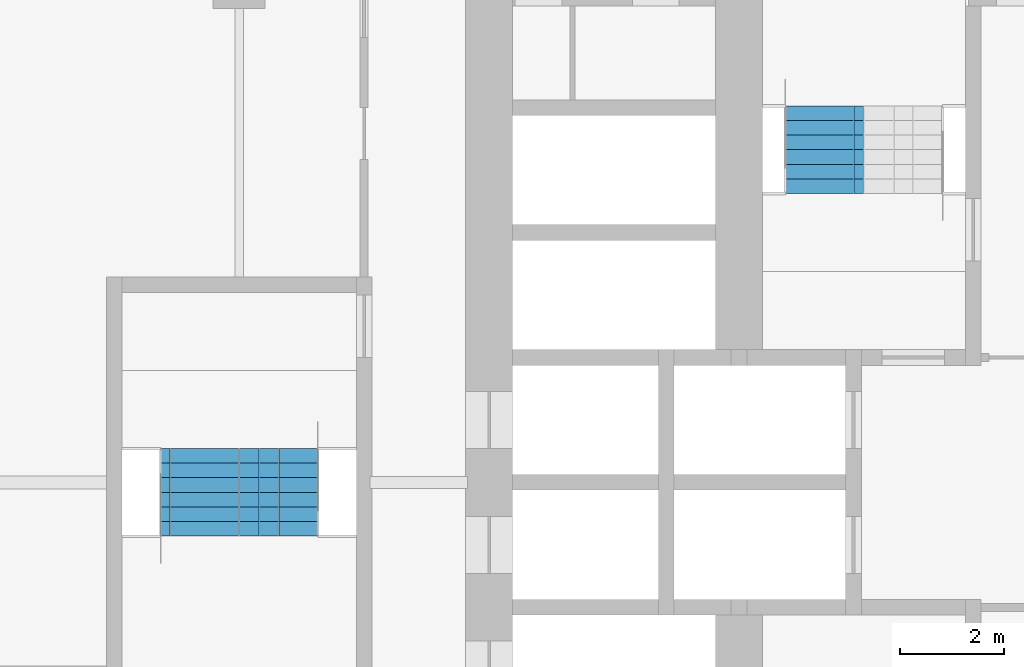
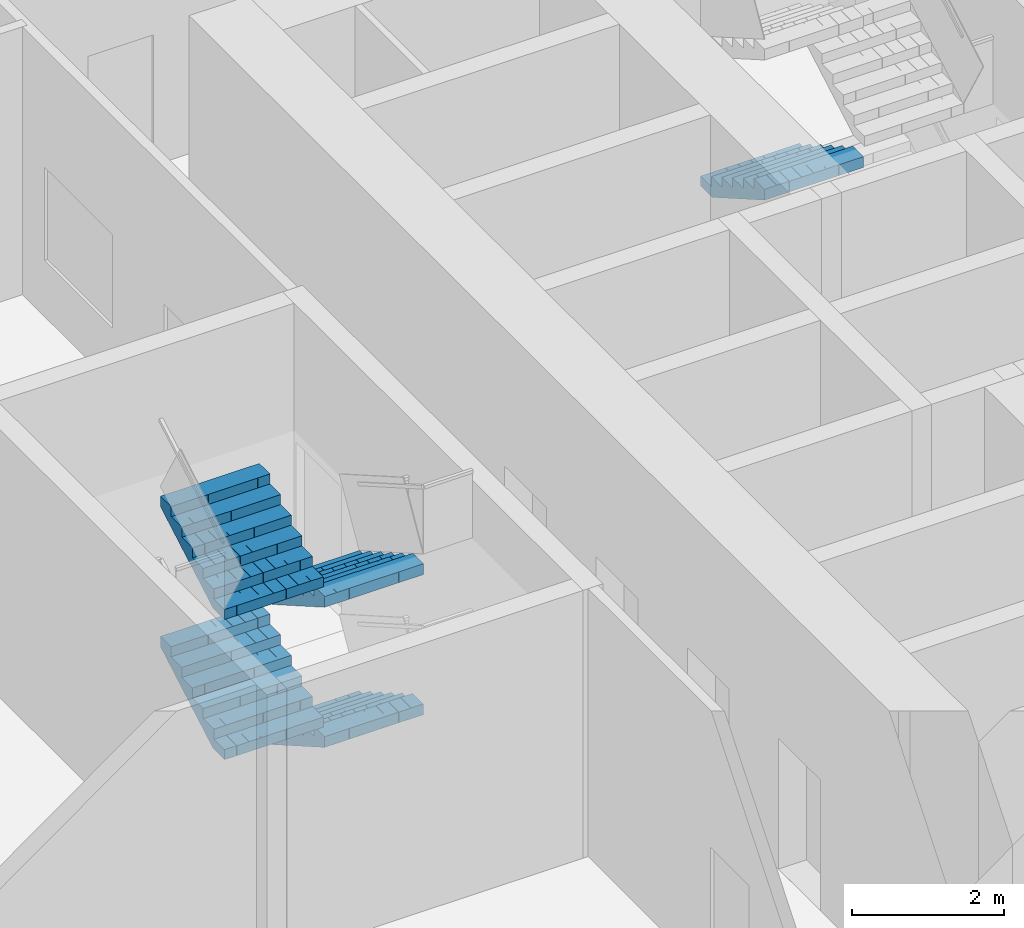
# One storey, part 22 of 27: 5 stair flights, 2 elements without a shape of their own.
"""IFC4 building model written with IfcOpenShell, lengths in metres."""

from ifc_helpers import new_model, si_unit, direction, frame, origin, place, context, subcontext, project, spatial, polyline, outline, extrude, material, type_object, element, aggregate, save


model = new_model("IFC4")

# Units and contexts
model_context = context("Model", 3, precision=1e-05, world=origin(), true_north=direction((0.0, 1.0)))
body_context = subcontext(model_context, "Body", "Model", "MODEL_VIEW")
ifc_project = project(units=[si_unit("LENGTHUNIT", "METRE"), si_unit("AREAUNIT", "SQUARE_METRE"), si_unit("VOLUMEUNIT", "CUBIC_METRE"), si_unit("PLANEANGLEUNIT", "RADIAN"), si_unit("MASSUNIT", "GRAM", prefix="KILO")], contexts=[model_context])

# Site, building, storey
site_placement = place(None, origin())
site = spatial("IfcSite", under=ifc_project, at=site_placement, CompositionType="ELEMENT")
building_placement = place(site_placement, origin())
building = spatial("IfcBuilding", under=site, at=building_placement, Name="Kolab Exchange Tower", CompositionType="ELEMENT")
storey_placement = place(building_placement, frame((0.0, 0.0, 109.39990234375)))
storey = spatial("IfcBuildingStorey", under=building, at=storey_placement, Name="L21", CompositionType="ELEMENT", Elevation=109.39990234375)

# Stair, stair flight
ifc_material = material(Name="Concrete C50/60", Category="concrete")
stair_type_1 = type_object("IfcStairType", Name="STAIR ST1 RISER 160.7", PredefinedType="DOUBLE_RETURN_STAIR", material=ifc_material)
stair_1_placement = place(storey_placement, origin())
stair_1 = element("IfcStair", 1, at=stair_1_placement, inside=storey, type_object=stair_type_1, Name="Stair 1", PredefinedType="DOUBLE_RETURN_STAIR")
stair_flight_type = type_object("IfcStairFlightType", Name="STAIR FLIGHT 1500 RISER 160.7", PredefinedType="STRAIGHT", material=ifc_material)
stair_flight_1_placement = place(storey_placement, frame((-7.9599609375, 7.22998046875, 1.125), z_axis=(0.0, 0.0, 1.0), x_axis=(0.0, -1.0, 0.0)))
stair_flight_1 = element("IfcStairFlight", 2, at=stair_flight_1_placement, type_object=stair_flight_type, Name="ST1 flight 2", NumberOfRisers=7, NumberOfTreads=6, PredefinedType="STRAIGHT", RiserHeight=0.160714286, TreadLength=0.28, context=body_context, shape_type="SweptSolid", body=[
    extrude(outline(polyline([(0.0, 0.0), (0.0, 0.16064453125), (0.280029296875, 0.16064453125), (0.280029296875, 0.321533203125), (0.56005859375, 0.321533203125), (0.56005859375, 0.482177734375), (0.840087890625, 0.482177734375), (0.840087890625, 0.642822265625), (1.1201171875, 0.642822265625), (1.1201171875, 0.803466796875), (1.39990234375, 0.803466796875), (1.39990234375, 0.96435546875), (1.679931640625, 0.96435546875), (1.679931640625, 1.125), (1.679931640625, 0.79150390625), (0.301025390625, 0.0), (0.0, 0.0)])), frame((0.0, 0.75, 0.0), z_axis=(0.0, -1.0, 0.0), x_axis=(1.0, 0.0, 0.0)), (0.0, 0.0, 1.0), 0.185791015625),
    extrude(outline(polyline([(0.0, 0.0), (0.0, 0.16064453125), (0.280029296875, 0.16064453125), (0.280029296875, 0.321533203125), (0.56005859375, 0.321533203125), (0.56005859375, 0.482177734375), (0.840087890625, 0.482177734375), (0.840087890625, 0.642822265625), (1.1201171875, 0.642822265625), (1.1201171875, 0.803466796875), (1.39990234375, 0.803466796875), (1.39990234375, 0.96435546875), (1.679931640625, 0.96435546875), (1.679931640625, 1.125), (1.679931640625, 0.79150390625), (0.301025390625, 0.0), (0.0, 0.0)])), frame((0.0, 0.562255859375, 0.0), z_axis=(0.0, -1.0, 0.0), x_axis=(1.0, 0.0, 0.0)), (0.0, 0.0, 1.0), 0.185791015625),
    extrude(outline(polyline([(0.0, 0.0), (0.0, 0.16064453125), (0.280029296875, 0.16064453125), (0.280029296875, 0.321533203125), (0.56005859375, 0.321533203125), (0.56005859375, 0.482177734375), (0.840087890625, 0.482177734375), (0.840087890625, 0.642822265625), (1.1201171875, 0.642822265625), (1.1201171875, 0.803466796875), (1.39990234375, 0.803466796875), (1.39990234375, 0.96435546875), (1.679931640625, 0.96435546875), (1.679931640625, 1.125), (1.679931640625, 0.79150390625), (0.301025390625, 0.0), (0.0, 0.0)])), frame((0.0, 0.37451171875, 0.0), z_axis=(0.0, -1.0, 0.0), x_axis=(1.0, 0.0, 0.0)), (0.0, 0.0, 1.0), 0.185791015625),
    extrude(outline(polyline([(0.0, 0.0), (0.0, 0.16064453125), (0.280029296875, 0.16064453125), (0.280029296875, 0.321533203125), (0.56005859375, 0.321533203125), (0.56005859375, 0.482177734375), (0.840087890625, 0.482177734375), (0.840087890625, 0.642822265625), (1.1201171875, 0.642822265625), (1.1201171875, 0.803466796875), (1.39990234375, 0.803466796875), (1.39990234375, 0.96435546875), (1.679931640625, 0.96435546875), (1.679931640625, 1.125), (1.679931640625, 0.79150390625), (0.301025390625, 0.0), (0.0, 0.0)])), frame((0.0, 0.186767578125, 0.0), z_axis=(0.0, -1.0, 0.0), x_axis=(1.0, 0.0, 0.0)), (0.0, 0.0, 1.0), 0.185791015625),
    extrude(outline(polyline([(0.0, 0.0), (0.0, 0.16064453125), (0.280029296875, 0.16064453125), (0.280029296875, 0.321533203125), (0.56005859375, 0.321533203125), (0.56005859375, 0.482177734375), (0.840087890625, 0.482177734375), (0.840087890625, 0.642822265625), (1.1201171875, 0.642822265625), (1.1201171875, 0.803466796875), (1.39990234375, 0.803466796875), (1.39990234375, 0.96435546875), (1.679931640625, 0.96435546875), (1.679931640625, 1.125), (1.679931640625, 0.79150390625), (0.301025390625, 0.0), (0.0, 0.0)])), frame((0.0, -0.0009765625, 0.0), z_axis=(0.0, -1.0, 0.0), x_axis=(1.0, 0.0, 0.0)), (0.0, 0.0, 1.0), 0.185791015625),
    extrude(outline(polyline([(0.0, 0.0), (0.0, 0.16064453125), (0.280029296875, 0.16064453125), (0.280029296875, 0.321533203125), (0.56005859375, 0.321533203125), (0.56005859375, 0.482177734375), (0.840087890625, 0.482177734375), (0.840087890625, 0.642822265625), (1.1201171875, 0.642822265625), (1.1201171875, 0.803466796875), (1.39990234375, 0.803466796875), (1.39990234375, 0.96435546875), (1.679931640625, 0.96435546875), (1.679931640625, 1.125), (1.679931640625, 0.79150390625), (0.301025390625, 0.0), (0.0, 0.0)])), frame((0.0, -0.188720703125, 0.0), z_axis=(0.0, -1.0, 0.0), x_axis=(1.0, 0.0, 0.0)), (0.0, 0.0, 1.0), 0.185791015625),
    extrude(outline(polyline([(0.0, 0.0), (0.0, 0.16064453125), (0.280029296875, 0.16064453125), (0.280029296875, 0.321533203125), (0.56005859375, 0.321533203125), (0.56005859375, 0.482177734375), (0.840087890625, 0.482177734375), (0.840087890625, 0.642822265625), (1.1201171875, 0.642822265625), (1.1201171875, 0.803466796875), (1.39990234375, 0.803466796875), (1.39990234375, 0.96435546875), (1.679931640625, 0.96435546875), (1.679931640625, 1.125), (1.679931640625, 0.79150390625), (0.301025390625, 0.0), (0.0, 0.0)])), frame((0.0, -0.37646484375, 0.0), z_axis=(0.0, -1.0, 0.0), x_axis=(1.0, 0.0, 0.0)), (0.0, 0.0, 1.0), 0.185791015625),
    extrude(outline(polyline([(0.0, 0.0), (0.0, 0.16064453125), (0.280029296875, 0.16064453125), (0.280029296875, 0.321533203125), (0.56005859375, 0.321533203125), (0.56005859375, 0.482177734375), (0.840087890625, 0.482177734375), (0.840087890625, 0.642822265625), (1.1201171875, 0.642822265625), (1.1201171875, 0.803466796875), (1.39990234375, 0.803466796875), (1.39990234375, 0.96435546875), (1.679931640625, 0.96435546875), (1.679931640625, 1.125), (1.679931640625, 0.79150390625), (0.301025390625, 0.0), (0.0, 0.0)])), frame((0.0, -0.564208984375, 0.0), z_axis=(0.0, -1.0, 0.0), x_axis=(1.0, 0.0, 0.0)), (0.0, 0.0, 1.0), 0.185791015625),
])
aggregate(stair_1, [stair_flight_1])

# Stair, stair flights
stair_type_2 = type_object("IfcStairType", Name="STAIR ST5 RISER 160.7", PredefinedType="DOUBLE_RETURN_STAIR", material=ifc_material)
stair_2_placement = place(storey_placement, origin())
stair_2 = element("IfcStair", 3, at=stair_2_placement, inside=storey, type_object=stair_type_2, Name="Stair 5", PredefinedType="DOUBLE_RETURN_STAIR")
stair_flight_2_placement = place(storey_placement, frame((-18.43994140625, 0.64990234375, 0.0), z_axis=(0.0, 0.0, 1.0), x_axis=(0.0, -1.0, 0.0)))
stair_flight_2 = element("IfcStairFlight", 4, at=stair_flight_2_placement, type_object=stair_flight_type, Name="ST5 flight 1", NumberOfRisers=7, NumberOfTreads=6, PredefinedType="STRAIGHT", RiserHeight=0.160714286, TreadLength=0.28, context=body_context, shape_type="SweptSolid", body=[
    extrude(outline(polyline([(0.0, 0.0), (0.0, 0.16064453125), (0.280029296875, 0.16064453125), (0.280029296875, 0.321533203125), (0.56005859375, 0.321533203125), (0.56005859375, 0.482177734375), (0.840087890625, 0.482177734375), (0.840087890625, 0.642822265625), (1.1201171875, 0.642822265625), (1.1201171875, 0.803466796875), (1.39990234375, 0.803466796875), (1.39990234375, 0.96435546875), (1.679931640625, 0.96435546875), (1.679931640625, 1.125), (1.679931640625, 0.79150390625), (0.301025390625, 0.0), (0.0, 0.0)])), frame((0.0, 0.75, 0.0), z_axis=(0.0, -1.0, 0.0), x_axis=(1.0, 0.0, 0.0)), (0.0, 0.0, 1.0), 0.185791015625),
    extrude(outline(polyline([(0.0, 0.0), (0.0, 0.16064453125), (0.280029296875, 0.16064453125), (0.280029296875, 0.321533203125), (0.56005859375, 0.321533203125), (0.56005859375, 0.482177734375), (0.840087890625, 0.482177734375), (0.840087890625, 0.642822265625), (1.1201171875, 0.642822265625), (1.1201171875, 0.803466796875), (1.39990234375, 0.803466796875), (1.39990234375, 0.96435546875), (1.679931640625, 0.96435546875), (1.679931640625, 1.125), (1.679931640625, 0.79150390625), (0.301025390625, 0.0), (0.0, 0.0)])), frame((0.0, 0.562255859375, 0.0), z_axis=(0.0, -1.0, 0.0), x_axis=(1.0, 0.0, 0.0)), (0.0, 0.0, 1.0), 0.185791015625),
    extrude(outline(polyline([(0.0, 0.0), (0.0, 0.16064453125), (0.280029296875, 0.16064453125), (0.280029296875, 0.321533203125), (0.56005859375, 0.321533203125), (0.56005859375, 0.482177734375), (0.840087890625, 0.482177734375), (0.840087890625, 0.642822265625), (1.1201171875, 0.642822265625), (1.1201171875, 0.803466796875), (1.39990234375, 0.803466796875), (1.39990234375, 0.96435546875), (1.679931640625, 0.96435546875), (1.679931640625, 1.125), (1.679931640625, 0.79150390625), (0.301025390625, 0.0), (0.0, 0.0)])), frame((0.0, 0.37451171875, 0.0), z_axis=(0.0, -1.0, 0.0), x_axis=(1.0, 0.0, 0.0)), (0.0, 0.0, 1.0), 0.185791015625),
    extrude(outline(polyline([(0.0, 0.0), (0.0, 0.16064453125), (0.280029296875, 0.16064453125), (0.280029296875, 0.321533203125), (0.56005859375, 0.321533203125), (0.56005859375, 0.482177734375), (0.840087890625, 0.482177734375), (0.840087890625, 0.642822265625), (1.1201171875, 0.642822265625), (1.1201171875, 0.803466796875), (1.39990234375, 0.803466796875), (1.39990234375, 0.96435546875), (1.679931640625, 0.96435546875), (1.679931640625, 1.125), (1.679931640625, 0.79150390625), (0.301025390625, 0.0), (0.0, 0.0)])), frame((0.0, 0.186767578125, 0.0), z_axis=(0.0, -1.0, 0.0), x_axis=(1.0, 0.0, 0.0)), (0.0, 0.0, 1.0), 0.185791015625),
    extrude(outline(polyline([(0.0, 0.0), (0.0, 0.16064453125), (0.280029296875, 0.16064453125), (0.280029296875, 0.321533203125), (0.56005859375, 0.321533203125), (0.56005859375, 0.482177734375), (0.840087890625, 0.482177734375), (0.840087890625, 0.642822265625), (1.1201171875, 0.642822265625), (1.1201171875, 0.803466796875), (1.39990234375, 0.803466796875), (1.39990234375, 0.96435546875), (1.679931640625, 0.96435546875), (1.679931640625, 1.125), (1.679931640625, 0.79150390625), (0.301025390625, 0.0), (0.0, 0.0)])), frame((0.0, -0.0009765625, 0.0), z_axis=(0.0, -1.0, 0.0), x_axis=(1.0, 0.0, 0.0)), (0.0, 0.0, 1.0), 0.185791015625),
    extrude(outline(polyline([(0.0, 0.0), (0.0, 0.16064453125), (0.280029296875, 0.16064453125), (0.280029296875, 0.321533203125), (0.56005859375, 0.321533203125), (0.56005859375, 0.482177734375), (0.840087890625, 0.482177734375), (0.840087890625, 0.642822265625), (1.1201171875, 0.642822265625), (1.1201171875, 0.803466796875), (1.39990234375, 0.803466796875), (1.39990234375, 0.96435546875), (1.679931640625, 0.96435546875), (1.679931640625, 1.125), (1.679931640625, 0.79150390625), (0.301025390625, 0.0), (0.0, 0.0)])), frame((0.0, -0.188720703125, 0.0), z_axis=(0.0, -1.0, 0.0), x_axis=(1.0, 0.0, 0.0)), (0.0, 0.0, 1.0), 0.185791015625),
    extrude(outline(polyline([(0.0, 0.0), (0.0, 0.16064453125), (0.280029296875, 0.16064453125), (0.280029296875, 0.321533203125), (0.56005859375, 0.321533203125), (0.56005859375, 0.482177734375), (0.840087890625, 0.482177734375), (0.840087890625, 0.642822265625), (1.1201171875, 0.642822265625), (1.1201171875, 0.803466796875), (1.39990234375, 0.803466796875), (1.39990234375, 0.96435546875), (1.679931640625, 0.96435546875), (1.679931640625, 1.125), (1.679931640625, 0.79150390625), (0.301025390625, 0.0), (0.0, 0.0)])), frame((0.0, -0.37646484375, 0.0), z_axis=(0.0, -1.0, 0.0), x_axis=(1.0, 0.0, 0.0)), (0.0, 0.0, 1.0), 0.185791015625),
    extrude(outline(polyline([(0.0, 0.0), (0.0, 0.16064453125), (0.280029296875, 0.16064453125), (0.280029296875, 0.321533203125), (0.56005859375, 0.321533203125), (0.56005859375, 0.482177734375), (0.840087890625, 0.482177734375), (0.840087890625, 0.642822265625), (1.1201171875, 0.642822265625), (1.1201171875, 0.803466796875), (1.39990234375, 0.803466796875), (1.39990234375, 0.96435546875), (1.679931640625, 0.96435546875), (1.679931640625, 1.125), (1.679931640625, 0.79150390625), (0.301025390625, 0.0), (0.0, 0.0)])), frame((0.0, -0.564208984375, 0.0), z_axis=(0.0, -1.0, 0.0), x_axis=(1.0, 0.0, 0.0)), (0.0, 0.0, 1.0), 0.185791015625),
])
stair_flight_3_placement = place(storey_placement, frame((-19.9599609375, -1.030029296875, 1.125), z_axis=(0.0, 0.0, 1.0), x_axis=(0.0, 1.0, 0.0)))
stair_flight_3 = element("IfcStairFlight", 5, at=stair_flight_3_placement, type_object=stair_flight_type, Name="ST5 flight 2", NumberOfRisers=7, NumberOfTreads=6, PredefinedType="STRAIGHT", RiserHeight=0.160714286, TreadLength=0.28, context=body_context, shape_type="SweptSolid", body=[
    extrude(outline(polyline([(0.0, 0.0), (0.0, 0.16064453125), (0.280029296875, 0.16064453125), (0.280029296875, 0.321533203125), (0.56005859375, 0.321533203125), (0.56005859375, 0.482177734375), (0.840087890625, 0.482177734375), (0.840087890625, 0.642822265625), (1.1201171875, 0.642822265625), (1.1201171875, 0.803466796875), (1.39990234375, 0.803466796875), (1.39990234375, 0.96435546875), (1.679931640625, 0.96435546875), (1.679931640625, 1.125), (1.679931640625, 0.79150390625), (0.301025390625, 0.0), (0.0, 0.0)])), frame((0.0, 0.75, 0.0), z_axis=(0.0, -1.0, 0.0), x_axis=(1.0, 0.0, 0.0)), (0.0, 0.0, 1.0), 0.185791015625),
    extrude(outline(polyline([(0.0, 0.0), (0.0, 0.16064453125), (0.280029296875, 0.16064453125), (0.280029296875, 0.321533203125), (0.56005859375, 0.321533203125), (0.56005859375, 0.482177734375), (0.840087890625, 0.482177734375), (0.840087890625, 0.642822265625), (1.1201171875, 0.642822265625), (1.1201171875, 0.803466796875), (1.39990234375, 0.803466796875), (1.39990234375, 0.96435546875), (1.679931640625, 0.96435546875), (1.679931640625, 1.125), (1.679931640625, 0.79150390625), (0.301025390625, 0.0), (0.0, 0.0)])), frame((0.0, 0.562255859375, 0.0), z_axis=(0.0, -1.0, 0.0), x_axis=(1.0, 0.0, 0.0)), (0.0, 0.0, 1.0), 0.185791015625),
    extrude(outline(polyline([(0.0, 0.0), (0.0, 0.16064453125), (0.280029296875, 0.16064453125), (0.280029296875, 0.321533203125), (0.56005859375, 0.321533203125), (0.56005859375, 0.482177734375), (0.840087890625, 0.482177734375), (0.840087890625, 0.642822265625), (1.1201171875, 0.642822265625), (1.1201171875, 0.803466796875), (1.39990234375, 0.803466796875), (1.39990234375, 0.96435546875), (1.679931640625, 0.96435546875), (1.679931640625, 1.125), (1.679931640625, 0.79150390625), (0.301025390625, 0.0), (0.0, 0.0)])), frame((0.0, 0.37451171875, 0.0), z_axis=(0.0, -1.0, 0.0), x_axis=(1.0, 0.0, 0.0)), (0.0, 0.0, 1.0), 0.185791015625),
    extrude(outline(polyline([(0.0, 0.0), (0.0, 0.16064453125), (0.280029296875, 0.16064453125), (0.280029296875, 0.321533203125), (0.56005859375, 0.321533203125), (0.56005859375, 0.482177734375), (0.840087890625, 0.482177734375), (0.840087890625, 0.642822265625), (1.1201171875, 0.642822265625), (1.1201171875, 0.803466796875), (1.39990234375, 0.803466796875), (1.39990234375, 0.96435546875), (1.679931640625, 0.96435546875), (1.679931640625, 1.125), (1.679931640625, 0.79150390625), (0.301025390625, 0.0), (0.0, 0.0)])), frame((0.0, 0.186767578125, 0.0), z_axis=(0.0, -1.0, 0.0), x_axis=(1.0, 0.0, 0.0)), (0.0, 0.0, 1.0), 0.185791015625),
    extrude(outline(polyline([(0.0, 0.0), (0.0, 0.16064453125), (0.280029296875, 0.16064453125), (0.280029296875, 0.321533203125), (0.56005859375, 0.321533203125), (0.56005859375, 0.482177734375), (0.840087890625, 0.482177734375), (0.840087890625, 0.642822265625), (1.1201171875, 0.642822265625), (1.1201171875, 0.803466796875), (1.39990234375, 0.803466796875), (1.39990234375, 0.96435546875), (1.679931640625, 0.96435546875), (1.679931640625, 1.125), (1.679931640625, 0.79150390625), (0.301025390625, 0.0), (0.0, 0.0)])), frame((0.0, -0.0009765625, 0.0), z_axis=(0.0, -1.0, 0.0), x_axis=(1.0, 0.0, 0.0)), (0.0, 0.0, 1.0), 0.185791015625),
    extrude(outline(polyline([(0.0, 0.0), (0.0, 0.16064453125), (0.280029296875, 0.16064453125), (0.280029296875, 0.321533203125), (0.56005859375, 0.321533203125), (0.56005859375, 0.482177734375), (0.840087890625, 0.482177734375), (0.840087890625, 0.642822265625), (1.1201171875, 0.642822265625), (1.1201171875, 0.803466796875), (1.39990234375, 0.803466796875), (1.39990234375, 0.96435546875), (1.679931640625, 0.96435546875), (1.679931640625, 1.125), (1.679931640625, 0.79150390625), (0.301025390625, 0.0), (0.0, 0.0)])), frame((0.0, -0.188720703125, 0.0), z_axis=(0.0, -1.0, 0.0), x_axis=(1.0, 0.0, 0.0)), (0.0, 0.0, 1.0), 0.185791015625),
    extrude(outline(polyline([(0.0, 0.0), (0.0, 0.16064453125), (0.280029296875, 0.16064453125), (0.280029296875, 0.321533203125), (0.56005859375, 0.321533203125), (0.56005859375, 0.482177734375), (0.840087890625, 0.482177734375), (0.840087890625, 0.642822265625), (1.1201171875, 0.642822265625), (1.1201171875, 0.803466796875), (1.39990234375, 0.803466796875), (1.39990234375, 0.96435546875), (1.679931640625, 0.96435546875), (1.679931640625, 1.125), (1.679931640625, 0.79150390625), (0.301025390625, 0.0), (0.0, 0.0)])), frame((0.0, -0.37646484375, 0.0), z_axis=(0.0, -1.0, 0.0), x_axis=(1.0, 0.0, 0.0)), (0.0, 0.0, 1.0), 0.185791015625),
    extrude(outline(polyline([(0.0, 0.0), (0.0, 0.16064453125), (0.280029296875, 0.16064453125), (0.280029296875, 0.321533203125), (0.56005859375, 0.321533203125), (0.56005859375, 0.482177734375), (0.840087890625, 0.482177734375), (0.840087890625, 0.642822265625), (1.1201171875, 0.642822265625), (1.1201171875, 0.803466796875), (1.39990234375, 0.803466796875), (1.39990234375, 0.96435546875), (1.679931640625, 0.96435546875), (1.679931640625, 1.125), (1.679931640625, 0.79150390625), (0.301025390625, 0.0), (0.0, 0.0)])), frame((0.0, -0.564208984375, 0.0), z_axis=(0.0, -1.0, 0.0), x_axis=(1.0, 0.0, 0.0)), (0.0, 0.0, 1.0), 0.185791015625),
])
stair_flight_4_placement = place(storey_placement, frame((-18.43994140625, 0.64990234375, 2.25), z_axis=(0.0, 0.0, 1.0), x_axis=(0.0, -1.0, 0.0)))
stair_flight_4 = element("IfcStairFlight", 6, at=stair_flight_4_placement, type_object=stair_flight_type, Name="ST5 flight 3", NumberOfRisers=7, NumberOfTreads=6, PredefinedType="STRAIGHT", RiserHeight=0.160714286, TreadLength=0.28, context=body_context, shape_type="SweptSolid", body=[
    extrude(outline(polyline([(0.0, 0.0), (0.0, 0.16064453125), (0.280029296875, 0.16064453125), (0.280029296875, 0.321533203125), (0.56005859375, 0.321533203125), (0.56005859375, 0.482177734375), (0.840087890625, 0.482177734375), (0.840087890625, 0.642822265625), (1.1201171875, 0.642822265625), (1.1201171875, 0.803466796875), (1.39990234375, 0.803466796875), (1.39990234375, 0.96435546875), (1.679931640625, 0.96435546875), (1.679931640625, 1.125), (1.679931640625, 0.79150390625), (0.301025390625, 0.0), (0.0, 0.0)])), frame((0.0, 0.75, 0.0), z_axis=(0.0, -1.0, 0.0), x_axis=(1.0, 0.0, 0.0)), (0.0, 0.0, 1.0), 0.185791015625),
    extrude(outline(polyline([(0.0, 0.0), (0.0, 0.16064453125), (0.280029296875, 0.16064453125), (0.280029296875, 0.321533203125), (0.56005859375, 0.321533203125), (0.56005859375, 0.482177734375), (0.840087890625, 0.482177734375), (0.840087890625, 0.642822265625), (1.1201171875, 0.642822265625), (1.1201171875, 0.803466796875), (1.39990234375, 0.803466796875), (1.39990234375, 0.96435546875), (1.679931640625, 0.96435546875), (1.679931640625, 1.125), (1.679931640625, 0.79150390625), (0.301025390625, 0.0), (0.0, 0.0)])), frame((0.0, 0.562255859375, 0.0), z_axis=(0.0, -1.0, 0.0), x_axis=(1.0, 0.0, 0.0)), (0.0, 0.0, 1.0), 0.185791015625),
    extrude(outline(polyline([(0.0, 0.0), (0.0, 0.16064453125), (0.280029296875, 0.16064453125), (0.280029296875, 0.321533203125), (0.56005859375, 0.321533203125), (0.56005859375, 0.482177734375), (0.840087890625, 0.482177734375), (0.840087890625, 0.642822265625), (1.1201171875, 0.642822265625), (1.1201171875, 0.803466796875), (1.39990234375, 0.803466796875), (1.39990234375, 0.96435546875), (1.679931640625, 0.96435546875), (1.679931640625, 1.125), (1.679931640625, 0.79150390625), (0.301025390625, 0.0), (0.0, 0.0)])), frame((0.0, 0.37451171875, 0.0), z_axis=(0.0, -1.0, 0.0), x_axis=(1.0, 0.0, 0.0)), (0.0, 0.0, 1.0), 0.185791015625),
    extrude(outline(polyline([(0.0, 0.0), (0.0, 0.16064453125), (0.280029296875, 0.16064453125), (0.280029296875, 0.321533203125), (0.56005859375, 0.321533203125), (0.56005859375, 0.482177734375), (0.840087890625, 0.482177734375), (0.840087890625, 0.642822265625), (1.1201171875, 0.642822265625), (1.1201171875, 0.803466796875), (1.39990234375, 0.803466796875), (1.39990234375, 0.96435546875), (1.679931640625, 0.96435546875), (1.679931640625, 1.125), (1.679931640625, 0.79150390625), (0.301025390625, 0.0), (0.0, 0.0)])), frame((0.0, 0.186767578125, 0.0), z_axis=(0.0, -1.0, 0.0), x_axis=(1.0, 0.0, 0.0)), (0.0, 0.0, 1.0), 0.185791015625),
    extrude(outline(polyline([(0.0, 0.0), (0.0, 0.16064453125), (0.280029296875, 0.16064453125), (0.280029296875, 0.321533203125), (0.56005859375, 0.321533203125), (0.56005859375, 0.482177734375), (0.840087890625, 0.482177734375), (0.840087890625, 0.642822265625), (1.1201171875, 0.642822265625), (1.1201171875, 0.803466796875), (1.39990234375, 0.803466796875), (1.39990234375, 0.96435546875), (1.679931640625, 0.96435546875), (1.679931640625, 1.125), (1.679931640625, 0.79150390625), (0.301025390625, 0.0), (0.0, 0.0)])), frame((0.0, -0.0009765625, 0.0), z_axis=(0.0, -1.0, 0.0), x_axis=(1.0, 0.0, 0.0)), (0.0, 0.0, 1.0), 0.185791015625),
    extrude(outline(polyline([(0.0, 0.0), (0.0, 0.16064453125), (0.280029296875, 0.16064453125), (0.280029296875, 0.321533203125), (0.56005859375, 0.321533203125), (0.56005859375, 0.482177734375), (0.840087890625, 0.482177734375), (0.840087890625, 0.642822265625), (1.1201171875, 0.642822265625), (1.1201171875, 0.803466796875), (1.39990234375, 0.803466796875), (1.39990234375, 0.96435546875), (1.679931640625, 0.96435546875), (1.679931640625, 1.125), (1.679931640625, 0.79150390625), (0.301025390625, 0.0), (0.0, 0.0)])), frame((0.0, -0.188720703125, 0.0), z_axis=(0.0, -1.0, 0.0), x_axis=(1.0, 0.0, 0.0)), (0.0, 0.0, 1.0), 0.185791015625),
    extrude(outline(polyline([(0.0, 0.0), (0.0, 0.16064453125), (0.280029296875, 0.16064453125), (0.280029296875, 0.321533203125), (0.56005859375, 0.321533203125), (0.56005859375, 0.482177734375), (0.840087890625, 0.482177734375), (0.840087890625, 0.642822265625), (1.1201171875, 0.642822265625), (1.1201171875, 0.803466796875), (1.39990234375, 0.803466796875), (1.39990234375, 0.96435546875), (1.679931640625, 0.96435546875), (1.679931640625, 1.125), (1.679931640625, 0.79150390625), (0.301025390625, 0.0), (0.0, 0.0)])), frame((0.0, -0.37646484375, 0.0), z_axis=(0.0, -1.0, 0.0), x_axis=(1.0, 0.0, 0.0)), (0.0, 0.0, 1.0), 0.185791015625),
    extrude(outline(polyline([(0.0, 0.0), (0.0, 0.16064453125), (0.280029296875, 0.16064453125), (0.280029296875, 0.321533203125), (0.56005859375, 0.321533203125), (0.56005859375, 0.482177734375), (0.840087890625, 0.482177734375), (0.840087890625, 0.642822265625), (1.1201171875, 0.642822265625), (1.1201171875, 0.803466796875), (1.39990234375, 0.803466796875), (1.39990234375, 0.96435546875), (1.679931640625, 0.96435546875), (1.679931640625, 1.125), (1.679931640625, 0.79150390625), (0.301025390625, 0.0), (0.0, 0.0)])), frame((0.0, -0.564208984375, 0.0), z_axis=(0.0, -1.0, 0.0), x_axis=(1.0, 0.0, 0.0)), (0.0, 0.0, 1.0), 0.185791015625),
])
stair_flight_5_placement = place(storey_placement, frame((-19.9599609375, -1.030029296875, 3.375), z_axis=(0.0, 0.0, 1.0), x_axis=(0.0, 1.0, 0.0)))
stair_flight_5 = element("IfcStairFlight", 7, at=stair_flight_5_placement, type_object=stair_flight_type, Name="ST5 flight 4", NumberOfRisers=7, NumberOfTreads=6, PredefinedType="STRAIGHT", RiserHeight=0.160714286, TreadLength=0.28, context=body_context, shape_type="SweptSolid", body=[
    extrude(outline(polyline([(0.0, 0.0), (0.0, 0.16064453125), (0.280029296875, 0.16064453125), (0.280029296875, 0.321533203125), (0.56005859375, 0.321533203125), (0.56005859375, 0.482177734375), (0.840087890625, 0.482177734375), (0.840087890625, 0.642822265625), (1.1201171875, 0.642822265625), (1.1201171875, 0.803466796875), (1.39990234375, 0.803466796875), (1.39990234375, 0.96435546875), (1.679931640625, 0.96435546875), (1.679931640625, 1.125), (1.679931640625, 0.79150390625), (0.301025390625, 0.0), (0.0, 0.0)])), frame((0.0, 0.75, 0.0), z_axis=(0.0, -1.0, 0.0), x_axis=(1.0, 0.0, 0.0)), (0.0, 0.0, 1.0), 0.185791015625),
    extrude(outline(polyline([(0.0, 0.0), (0.0, 0.16064453125), (0.280029296875, 0.16064453125), (0.280029296875, 0.321533203125), (0.56005859375, 0.321533203125), (0.56005859375, 0.482177734375), (0.840087890625, 0.482177734375), (0.840087890625, 0.642822265625), (1.1201171875, 0.642822265625), (1.1201171875, 0.803466796875), (1.39990234375, 0.803466796875), (1.39990234375, 0.96435546875), (1.679931640625, 0.96435546875), (1.679931640625, 1.125), (1.679931640625, 0.79150390625), (0.301025390625, 0.0), (0.0, 0.0)])), frame((0.0, 0.562255859375, 0.0), z_axis=(0.0, -1.0, 0.0), x_axis=(1.0, 0.0, 0.0)), (0.0, 0.0, 1.0), 0.185791015625),
    extrude(outline(polyline([(0.0, 0.0), (0.0, 0.16064453125), (0.280029296875, 0.16064453125), (0.280029296875, 0.321533203125), (0.56005859375, 0.321533203125), (0.56005859375, 0.482177734375), (0.840087890625, 0.482177734375), (0.840087890625, 0.642822265625), (1.1201171875, 0.642822265625), (1.1201171875, 0.803466796875), (1.39990234375, 0.803466796875), (1.39990234375, 0.96435546875), (1.679931640625, 0.96435546875), (1.679931640625, 1.125), (1.679931640625, 0.79150390625), (0.301025390625, 0.0), (0.0, 0.0)])), frame((0.0, 0.37451171875, 0.0), z_axis=(0.0, -1.0, 0.0), x_axis=(1.0, 0.0, 0.0)), (0.0, 0.0, 1.0), 0.185791015625),
    extrude(outline(polyline([(0.0, 0.0), (0.0, 0.16064453125), (0.280029296875, 0.16064453125), (0.280029296875, 0.321533203125), (0.56005859375, 0.321533203125), (0.56005859375, 0.482177734375), (0.840087890625, 0.482177734375), (0.840087890625, 0.642822265625), (1.1201171875, 0.642822265625), (1.1201171875, 0.803466796875), (1.39990234375, 0.803466796875), (1.39990234375, 0.96435546875), (1.679931640625, 0.96435546875), (1.679931640625, 1.125), (1.679931640625, 0.79150390625), (0.301025390625, 0.0), (0.0, 0.0)])), frame((0.0, 0.186767578125, 0.0), z_axis=(0.0, -1.0, 0.0), x_axis=(1.0, 0.0, 0.0)), (0.0, 0.0, 1.0), 0.185791015625),
    extrude(outline(polyline([(0.0, 0.0), (0.0, 0.16064453125), (0.280029296875, 0.16064453125), (0.280029296875, 0.321533203125), (0.56005859375, 0.321533203125), (0.56005859375, 0.482177734375), (0.840087890625, 0.482177734375), (0.840087890625, 0.642822265625), (1.1201171875, 0.642822265625), (1.1201171875, 0.803466796875), (1.39990234375, 0.803466796875), (1.39990234375, 0.96435546875), (1.679931640625, 0.96435546875), (1.679931640625, 1.125), (1.679931640625, 0.79150390625), (0.301025390625, 0.0), (0.0, 0.0)])), frame((0.0, -0.0009765625, 0.0), z_axis=(0.0, -1.0, 0.0), x_axis=(1.0, 0.0, 0.0)), (0.0, 0.0, 1.0), 0.185791015625),
    extrude(outline(polyline([(0.0, 0.0), (0.0, 0.16064453125), (0.280029296875, 0.16064453125), (0.280029296875, 0.321533203125), (0.56005859375, 0.321533203125), (0.56005859375, 0.482177734375), (0.840087890625, 0.482177734375), (0.840087890625, 0.642822265625), (1.1201171875, 0.642822265625), (1.1201171875, 0.803466796875), (1.39990234375, 0.803466796875), (1.39990234375, 0.96435546875), (1.679931640625, 0.96435546875), (1.679931640625, 1.125), (1.679931640625, 0.79150390625), (0.301025390625, 0.0), (0.0, 0.0)])), frame((0.0, -0.188720703125, 0.0), z_axis=(0.0, -1.0, 0.0), x_axis=(1.0, 0.0, 0.0)), (0.0, 0.0, 1.0), 0.185791015625),
    extrude(outline(polyline([(0.0, 0.0), (0.0, 0.16064453125), (0.280029296875, 0.16064453125), (0.280029296875, 0.321533203125), (0.56005859375, 0.321533203125), (0.56005859375, 0.482177734375), (0.840087890625, 0.482177734375), (0.840087890625, 0.642822265625), (1.1201171875, 0.642822265625), (1.1201171875, 0.803466796875), (1.39990234375, 0.803466796875), (1.39990234375, 0.96435546875), (1.679931640625, 0.96435546875), (1.679931640625, 1.125), (1.679931640625, 0.79150390625), (0.301025390625, 0.0), (0.0, 0.0)])), frame((0.0, -0.37646484375, 0.0), z_axis=(0.0, -1.0, 0.0), x_axis=(1.0, 0.0, 0.0)), (0.0, 0.0, 1.0), 0.185791015625),
    extrude(outline(polyline([(0.0, 0.0), (0.0, 0.16064453125), (0.280029296875, 0.16064453125), (0.280029296875, 0.321533203125), (0.56005859375, 0.321533203125), (0.56005859375, 0.482177734375), (0.840087890625, 0.482177734375), (0.840087890625, 0.642822265625), (1.1201171875, 0.642822265625), (1.1201171875, 0.803466796875), (1.39990234375, 0.803466796875), (1.39990234375, 0.96435546875), (1.679931640625, 0.96435546875), (1.679931640625, 1.125), (1.679931640625, 0.79150390625), (0.301025390625, 0.0), (0.0, 0.0)])), frame((0.0, -0.564208984375, 0.0), z_axis=(0.0, -1.0, 0.0), x_axis=(1.0, 0.0, 0.0)), (0.0, 0.0, 1.0), 0.185791015625),
])
aggregate(stair_2, [stair_flight_2, stair_flight_3, stair_flight_4, stair_flight_5])

save(model, "model.ifc")
